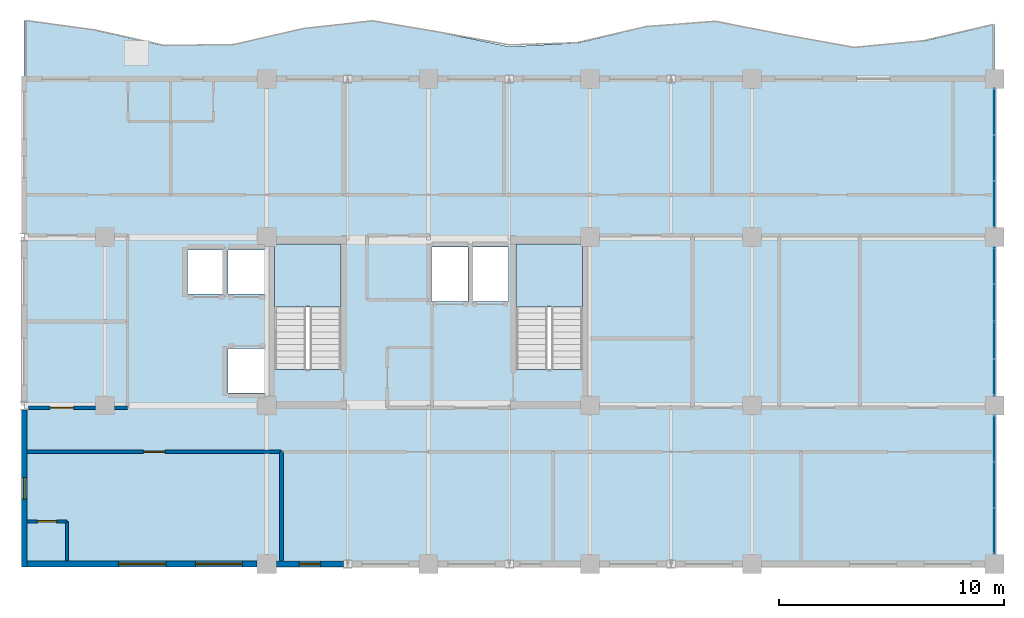
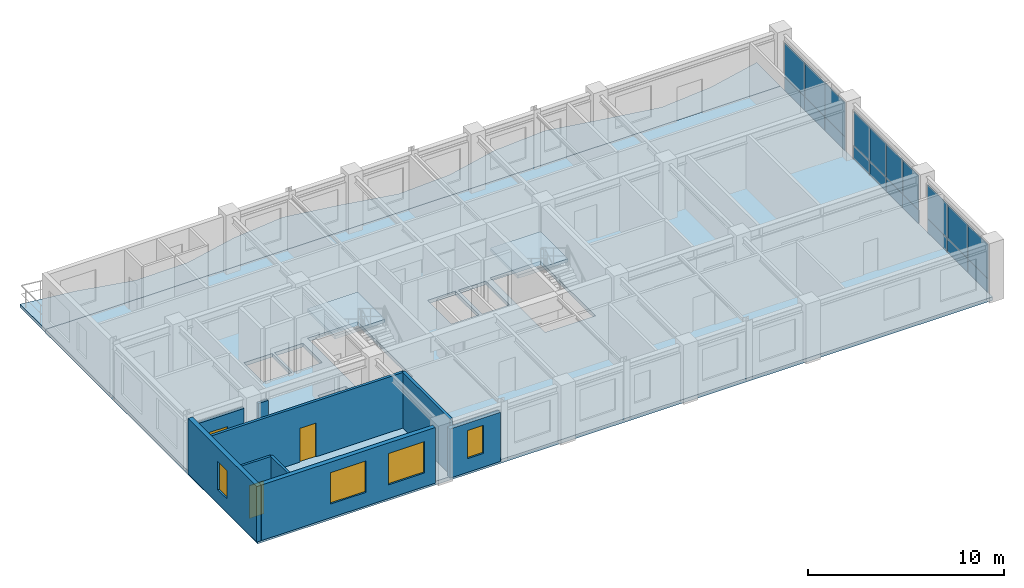
# One storey, part 5 of 11: 20 plates, 9 walls, 4 slabs, 4 windows, 3 doors, 7 openings, 5 elements without a shape of their own.
"""IFC4 building model written with IfcOpenShell, lengths in metres."""

from ifc_helpers import new_model, si_unit, direction, frame, frame_2d, origin, origin_2d, place, context, subcontext, project, spatial, polyline, rectangle, outline, extrude, source, transform, mapped, material, layer, layer_set, type_object, element, fill, aggregate, save


model = new_model("IFC4")

# Units and contexts
model_context = context("Model", 3, precision=1e-05, world=origin(), true_north=direction((0.0, 1.0)))
body_context = subcontext(model_context, "Body", "Model", "MODEL_VIEW")
ifc_project = project(units=[si_unit("LENGTHUNIT", "METRE"), si_unit("AREAUNIT", "SQUARE_METRE"), si_unit("VOLUMEUNIT", "CUBIC_METRE"), si_unit("PLANEANGLEUNIT", "RADIAN"), si_unit("MASSUNIT", "GRAM", prefix="KILO")], contexts=[model_context])

# Site, building, storey
site_placement = place(None, origin())
site = spatial("IfcSite", under=ifc_project, at=site_placement, CompositionType="ELEMENT")
building_placement = place(site_placement, origin())
building = spatial("IfcBuilding", under=site, at=building_placement, Name="Kaliganga Portal Commons", CompositionType="ELEMENT")
storey_placement = place(building_placement, frame((0.0, 0.0, 268.39990234375)))
storey = spatial("IfcBuildingStorey", under=building, at=storey_placement, Name="L69", CompositionType="ELEMENT", Elevation=268.39990234375)

# Slab
ifc_material_1 = material(Name="Concrete C40/50", Category="concrete")
ifc_layer_1 = layer(ifc_material_1, 0.2099609375)
ifc_layer_set_1 = layer_set([ifc_layer_1], Name="Concrete C40/50")
slab_type_1 = type_object("IfcSlabType", Name="SLB-BALC-210", PredefinedType="FLOOR", material=ifc_layer_set_1)
slab_1_placement = place(storey_placement, frame((0.0, 0.0, -0.2099609375)))
element("IfcSlab", 1, at=slab_1_placement, inside=storey, type_object=slab_type_1, Name="Scalloped Tree-Planter Balcony Slab L69 balc_north", PredefinedType="FLOOR", context=body_context, shape_type="SweptSolid", body=[
    extrude(outline(polyline([(46.800048828125, 43.199951171875), (46.800048828125, 45.62158203125), (43.71435546875, 44.895263671875), (40.628662109375, 44.597900390625), (37.54296875, 45.160888671875), (34.45703125, 45.767578125), (31.371337890625, 45.537841796875), (28.28564453125, 44.804931640625), (25.199951171875, 44.632080078125), (22.1142578125, 45.27001953125), (19.028564453125, 45.793212890625), (15.94287109375, 45.44287109375), (12.857177734375, 44.72705078125), (9.771484375, 44.684326171875), (6.685791015625, 45.376708984375), (3.60009765625, 45.7998046875), (3.60009765625, 43.199951171875), (46.800048828125, 43.199951171875)])), origin(), (0.0, 0.0, 1.0), 0.2099609375),
])

# Stair, slab
stair_type = type_object("IfcStairType", Name="ST-CORE-DOGLEG", PredefinedType="HALF_TURN_STAIR", material=ifc_material_1)
stair_1_placement = place(storey_placement, origin())
stair_1 = element("IfcStair", 2, at=stair_1_placement, inside=storey, type_object=stair_type, Name="L69 Protected Exit Stair ST-A1", PredefinedType="HALF_TURN_STAIR")
ifc_layer_2 = layer(ifc_material_1, 0.199951171875)
ifc_layer_set_2 = layer_set([ifc_layer_2], Name="Concrete C40/50")
slab_type_2 = type_object("IfcSlabType", Name="SLB-STAIR-LND", PredefinedType="LANDING", material=ifc_layer_set_2)
slab_2_placement = place(storey_placement, frame((0.0, 0.0, 1.650146484375)))
slab_2 = element("IfcSlab", 3, at=slab_2_placement, type_object=slab_type_2, Name="ST-A1 landing 1", PredefinedType="LANDING", context=body_context, shape_type="SweptSolid", body=[
    extrude(outline(polyline([(17.699951171875, 33.050048828125), (17.699951171875, 35.85009765625), (14.75, 35.85009765625), (14.75, 33.050048828125), (17.699951171875, 33.050048828125)])), origin(), (0.0, 0.0, 1.0), 0.199951171875),
])
aggregate(stair_1, [slab_2])

stair_2_placement = place(storey_placement, origin())
stair_2 = element("IfcStair", 4, at=stair_2_placement, inside=storey, type_object=stair_type, Name="L69 Protected Exit Stair ST-A2", PredefinedType="HALF_TURN_STAIR")
slab_3_placement = place(storey_placement, frame((0.0, 0.0, 1.650146484375)))
slab_3 = element("IfcSlab", 5, at=slab_3_placement, type_object=slab_type_2, Name="ST-A2 landing 1", PredefinedType="LANDING", context=body_context, shape_type="SweptSolid", body=[
    extrude(outline(polyline([(28.449951171875, 33.050048828125), (28.449951171875, 35.85009765625), (25.5, 35.85009765625), (25.5, 33.050048828125), (28.449951171875, 33.050048828125)])), origin(), (0.0, 0.0, 1.0), 0.199951171875),
])
aggregate(stair_2, [slab_3])

# Slab
ifc_layer_3 = layer(ifc_material_1, 0.22509765625)
ifc_layer_set_3 = layer_set([ifc_layer_3], Name="Concrete C40/50")
slab_type_3 = type_object("IfcSlabType", Name="SLB-TWR-220", PredefinedType="FLOOR", material=ifc_layer_set_3)
slab_4_placement = place(storey_placement, frame((0.0, 0.0, -0.224853515625)))
element("IfcSlab", 6, at=slab_4_placement, inside=storey, type_object=slab_type_3, Name="Structural Floor Slab L69", PredefinedType="FLOOR", context=body_context, shape_type="SweptSolid", body=[
    extrude(outline(polyline([(3.60009765625, 21.60009765625), (46.800048828125, 21.60009765625), (46.800048828125, 43.199951171875), (3.60009765625, 43.199951171875), (3.60009765625, 21.60009765625)]), holes=[polyline([(14.75, 30.25390625), (14.75, 35.85009765625), (17.699951171875, 35.85009765625), (17.699951171875, 30.25390625), (14.75, 30.25390625)]), polyline([(25.5, 30.25390625), (25.5, 35.85009765625), (28.449951171875, 35.85009765625), (28.449951171875, 30.25390625), (25.5, 30.25390625)]), polyline([(12.6650390625, 33.614990234375), (12.6650390625, 35.5849609375), (14.3349609375, 35.5849609375), (14.3349609375, 33.614990234375), (12.6650390625, 33.614990234375)]), polyline([(12.6650390625, 29.215087890625), (12.6650390625, 31.18505859375), (14.3349609375, 31.18505859375), (14.3349609375, 29.215087890625), (12.6650390625, 29.215087890625)]), polyline([(10.864990234375, 33.614990234375), (10.864990234375, 35.5849609375), (12.534912109375, 35.5849609375), (12.534912109375, 33.614990234375), (10.864990234375, 33.614990234375)]), polyline([(21.739990234375, 33.2900390625), (21.739990234375, 35.7099609375), (23.360107421875, 35.7099609375), (23.360107421875, 33.2900390625), (21.739990234375, 33.2900390625)]), polyline([(23.5400390625, 33.2900390625), (23.5400390625, 35.7099609375), (25.159912109375, 35.7099609375), (25.159912109375, 33.2900390625), (23.5400390625, 33.2900390625)])]), origin(), (0.0, 0.0, 1.0), 0.224853515625),
])

# Curtain wall, plates
ifc_material_2 = material(Name="Anodized Aluminium and Laminated Low-E Glass", Category="aluminium")
ifc_layer_4 = layer(ifc_material_2, 0.18994140625)
ifc_layer_set_4 = layer_set([ifc_layer_4], Name="Anodized Aluminium and Laminated Low-E Glass")
curtain_wall_type = type_object("IfcCurtainWallType", Name="CW-SYS-05", PredefinedType="NOTDEFINED", material=ifc_layer_set_4)
curtain_wall_1_placement = place(storey_placement, origin())
curtain_wall_1 = element("IfcCurtainWall", 7, at=curtain_wall_1_placement, inside=storey, type_object=curtain_wall_type, Name="CW 05 L69 P1E01S1", PredefinedType="NOTDEFINED")
ifc_material_3 = material(Name="Insulated Dark Spandrel Panel", Category="metal")
ifc_layer_5 = layer(ifc_material_3, 0.044921875)
ifc_layer_set_5 = layer_set([ifc_layer_5], Name="Insulated Dark Spandrel Panel")
plate_type_1 = type_object("IfcPlateType", Name="PLT-SPN-45", PredefinedType="SHEET", material=ifc_layer_set_5)
shared_shape_1 = source(origin(), body_context, "Body", "SweptSolid", [
    extrude(rectangle(XDim=2.02587890625, YDim=0.044921875, at=origin_2d()), origin(), (0.0, 0.0, 1.0), 0.841064453125),
])
plate_1_placement = place(storey_placement, frame((46.800048828125, 23.05908203125, 0.01025390625), z_axis=(0.0, 0.0, 1.0), x_axis=(0.0, 1.0, 0.0)))
plate_1 = element("IfcPlate", 8, at=plate_1_placement, type_object=plate_type_1, Name="CW:05:L69:P1E01S1 Spandrel 00", PredefinedType="SHEET", context=body_context, shape_type="MappedRepresentation", body=[
    mapped(shared_shape_1, transform((0.0, 0.0, 0.0), x_axis=(1.0, 0.0, 0.0), y_axis=(0.0, 1.0, 0.0), z_axis=(0.0, 0.0, 1.0), scale=1.0)),
])
plate_2_placement = place(storey_placement, frame((46.800048828125, 25.125, 0.01025390625), z_axis=(0.0, 0.0, 1.0), x_axis=(0.0, 1.0, 0.0)))
plate_2 = element("IfcPlate", 9, at=plate_2_placement, type_object=plate_type_1, Name="CW:05:L69:P1E01S1 Spandrel 01", PredefinedType="SHEET", context=body_context, shape_type="MappedRepresentation", body=[
    mapped(shared_shape_1, transform((0.0, 0.0, 0.0), x_axis=(1.0, 0.0, 0.0), y_axis=(0.0, 1.0, 0.0), z_axis=(0.0, 0.0, 1.0), scale=1.0)),
])
plate_3_placement = place(storey_placement, frame((46.800048828125, 27.19091796875, 0.01025390625), z_axis=(0.0, 0.0, 1.0), x_axis=(0.0, 1.0, 0.0)))
plate_3 = element("IfcPlate", 10, at=plate_3_placement, type_object=plate_type_1, Name="CW:05:L69:P1E01S1 Spandrel 02", PredefinedType="SHEET", context=body_context, shape_type="MappedRepresentation", body=[
    mapped(shared_shape_1, transform((0.0, 0.0, 0.0), x_axis=(1.0, 0.0, 0.0), y_axis=(0.0, 1.0, 0.0), z_axis=(0.0, 0.0, 1.0), scale=1.0)),
])

curtain_wall_2_placement = place(storey_placement, origin())
curtain_wall_2 = element("IfcCurtainWall", 11, at=curtain_wall_2_placement, inside=storey, type_object=curtain_wall_type, Name="CW 05 L69 P1E01S3", PredefinedType="NOTDEFINED")
plate_4_placement = place(storey_placement, frame((46.800048828125, 37.60888671875, 0.01025390625), z_axis=(0.0, 0.0, 1.0), x_axis=(0.0, 1.0, 0.0)))
plate_4 = element("IfcPlate", 12, at=plate_4_placement, type_object=plate_type_1, Name="CW:05:L69:P1E01S3 Spandrel 00", PredefinedType="SHEET", context=body_context, shape_type="MappedRepresentation", body=[
    mapped(shared_shape_1, transform((0.0, 0.0, 0.0), x_axis=(1.0, 0.0, 0.0), y_axis=(0.0, 1.0, 0.0), z_axis=(0.0, 0.0, 1.0), scale=1.0)),
])
plate_5_placement = place(storey_placement, frame((46.800048828125, 39.675048828125, 0.01025390625), z_axis=(0.0, 0.0, 1.0), x_axis=(0.0, 1.0, 0.0)))
plate_5 = element("IfcPlate", 13, at=plate_5_placement, type_object=plate_type_1, Name="CW:05:L69:P1E01S3 Spandrel 01", PredefinedType="SHEET", context=body_context, shape_type="MappedRepresentation", body=[
    mapped(shared_shape_1, transform((0.0, 0.0, 0.0), x_axis=(1.0, 0.0, 0.0), y_axis=(0.0, 1.0, 0.0), z_axis=(0.0, 0.0, 1.0), scale=1.0)),
])
plate_6_placement = place(storey_placement, frame((46.800048828125, 41.740966796875, 0.01025390625), z_axis=(0.0, 0.0, 1.0), x_axis=(0.0, 1.0, 0.0)))
plate_6 = element("IfcPlate", 14, at=plate_6_placement, type_object=plate_type_1, Name="CW:05:L69:P1E01S3 Spandrel 02", PredefinedType="SHEET", context=body_context, shape_type="MappedRepresentation", body=[
    mapped(shared_shape_1, transform((0.0, 0.0, 0.0), x_axis=(1.0, 0.0, 0.0), y_axis=(0.0, 1.0, 0.0), z_axis=(0.0, 0.0, 1.0), scale=1.0)),
])

# Plate
ifc_material_4 = material(Name="Dark Solar-Control Laminated Low-E IGU", Category="glass")
ifc_layer_6 = layer(ifc_material_4, 0.028076171875)
ifc_layer_set_6 = layer_set([ifc_layer_6], Name="Dark Solar-Control Laminated Low-E IGU")
plate_type_2 = type_object("IfcPlateType", Name="PLT-GLZ-28", PredefinedType="CURTAIN_PANEL", material=ifc_layer_set_6)
shared_shape_2 = source(origin(), body_context, "Body", "SweptSolid", [
    extrude(rectangle(XDim=2.02587890625, YDim=0.028076171875, at=origin_2d()), origin(), (0.0, 0.0, 1.0), 2.114013671875),
])
plate_7_placement = place(storey_placement, frame((46.800048828125, 23.05908203125, 0.87109375), z_axis=(0.0, 0.0, 1.0), x_axis=(0.0, 1.0, 0.0)))
plate_7 = element("IfcPlate", 15, at=plate_7_placement, type_object=plate_type_2, Name="CW:05:L69:P1E01S1 Vision IGU 00", PredefinedType="CURTAIN_PANEL", context=body_context, shape_type="MappedRepresentation", body=[
    mapped(shared_shape_2, transform((0.0, 0.0, 0.0), x_axis=(1.0, 0.0, 0.0), y_axis=(0.0, 1.0, 0.0), z_axis=(0.0, 0.0, 1.0), scale=1.0)),
])

plate_8_placement = place(storey_placement, frame((46.800048828125, 25.125, 0.87109375), z_axis=(0.0, 0.0, 1.0), x_axis=(0.0, 1.0, 0.0)))
plate_8 = element("IfcPlate", 16, at=plate_8_placement, type_object=plate_type_2, Name="CW:05:L69:P1E01S1 Vision IGU 01", PredefinedType="CURTAIN_PANEL", context=body_context, shape_type="MappedRepresentation", body=[
    mapped(shared_shape_2, transform((0.0, 0.0, 0.0), x_axis=(1.0, 0.0, 0.0), y_axis=(0.0, 1.0, 0.0), z_axis=(0.0, 0.0, 1.0), scale=1.0)),
])

plate_9_placement = place(storey_placement, frame((46.800048828125, 27.19091796875, 0.87109375), z_axis=(0.0, 0.0, 1.0), x_axis=(0.0, 1.0, 0.0)))
plate_9 = element("IfcPlate", 17, at=plate_9_placement, type_object=plate_type_2, Name="CW:05:L69:P1E01S1 Vision IGU 02", PredefinedType="CURTAIN_PANEL", context=body_context, shape_type="MappedRepresentation", body=[
    mapped(shared_shape_2, transform((0.0, 0.0, 0.0), x_axis=(1.0, 0.0, 0.0), y_axis=(0.0, 1.0, 0.0), z_axis=(0.0, 0.0, 1.0), scale=1.0)),
])

aggregate(curtain_wall_1, [plate_1, plate_7, plate_2, plate_8, plate_3, plate_9])

plate_10_placement = place(storey_placement, frame((46.800048828125, 37.60888671875, 0.87109375), z_axis=(0.0, 0.0, 1.0), x_axis=(0.0, 1.0, 0.0)))
plate_10 = element("IfcPlate", 18, at=plate_10_placement, type_object=plate_type_2, Name="CW:05:L69:P1E01S3 Vision IGU 00", PredefinedType="CURTAIN_PANEL", context=body_context, shape_type="MappedRepresentation", body=[
    mapped(shared_shape_2, transform((0.0, 0.0, 0.0), x_axis=(1.0, 0.0, 0.0), y_axis=(0.0, 1.0, 0.0), z_axis=(0.0, 0.0, 1.0), scale=1.0)),
])

plate_11_placement = place(storey_placement, frame((46.800048828125, 39.675048828125, 0.87109375), z_axis=(0.0, 0.0, 1.0), x_axis=(0.0, 1.0, 0.0)))
plate_11 = element("IfcPlate", 19, at=plate_11_placement, type_object=plate_type_2, Name="CW:05:L69:P1E01S3 Vision IGU 01", PredefinedType="CURTAIN_PANEL", context=body_context, shape_type="MappedRepresentation", body=[
    mapped(shared_shape_2, transform((0.0, 0.0, 0.0), x_axis=(1.0, 0.0, 0.0), y_axis=(0.0, 1.0, 0.0), z_axis=(0.0, 0.0, 1.0), scale=1.0)),
])

plate_12_placement = place(storey_placement, frame((46.800048828125, 41.740966796875, 0.87109375), z_axis=(0.0, 0.0, 1.0), x_axis=(0.0, 1.0, 0.0)))
plate_12 = element("IfcPlate", 20, at=plate_12_placement, type_object=plate_type_2, Name="CW:05:L69:P1E01S3 Vision IGU 02", PredefinedType="CURTAIN_PANEL", context=body_context, shape_type="MappedRepresentation", body=[
    mapped(shared_shape_2, transform((0.0, 0.0, 0.0), x_axis=(1.0, 0.0, 0.0), y_axis=(0.0, 1.0, 0.0), z_axis=(0.0, 0.0, 1.0), scale=1.0)),
])

aggregate(curtain_wall_2, [plate_4, plate_10, plate_5, plate_11, plate_6, plate_12])

# Curtain wall, plates
curtain_wall_3_placement = place(storey_placement, origin())
curtain_wall_3 = element("IfcCurtainWall", 21, at=curtain_wall_3_placement, inside=storey, type_object=curtain_wall_type, Name="CW 05 L69 P1E01S2", PredefinedType="NOTDEFINED")
shared_shape_3 = source(origin(), body_context, "Body", "SweptSolid", [
    extrude(rectangle(XDim=1.6220703125, YDim=0.044921875, at=origin_2d()), origin(), (0.0, 0.0, 1.0), 0.841064453125),
])
plate_13_placement = place(storey_placement, frame((46.800048828125, 29.906982421875, 0.01025390625), z_axis=(0.0, 0.0, 1.0), x_axis=(0.0, 1.0, 0.0)))
plate_13 = element("IfcPlate", 22, at=plate_13_placement, type_object=plate_type_1, Name="CW:05:L69:P1E01S2 Spandrel 00", PredefinedType="SHEET", context=body_context, shape_type="MappedRepresentation", body=[
    mapped(shared_shape_3, transform((0.0, 0.0, 0.0), x_axis=(1.0, 0.0, 0.0), y_axis=(0.0, 1.0, 0.0), z_axis=(0.0, 0.0, 1.0), scale=1.0)),
])
plate_14_placement = place(storey_placement, frame((46.800048828125, 31.569091796875, 0.01025390625), z_axis=(0.0, 0.0, 1.0), x_axis=(0.0, 1.0, 0.0)))
plate_14 = element("IfcPlate", 23, at=plate_14_placement, type_object=plate_type_1, Name="CW:05:L69:P1E01S2 Spandrel 01", PredefinedType="SHEET", context=body_context, shape_type="MappedRepresentation", body=[
    mapped(shared_shape_3, transform((0.0, 0.0, 0.0), x_axis=(1.0, 0.0, 0.0), y_axis=(0.0, 1.0, 0.0), z_axis=(0.0, 0.0, 1.0), scale=1.0)),
])
plate_15_placement = place(storey_placement, frame((46.800048828125, 33.23095703125, 0.01025390625), z_axis=(0.0, 0.0, 1.0), x_axis=(0.0, 1.0, 0.0)))
plate_15 = element("IfcPlate", 24, at=plate_15_placement, type_object=plate_type_1, Name="CW:05:L69:P1E01S2 Spandrel 02", PredefinedType="SHEET", context=body_context, shape_type="MappedRepresentation", body=[
    mapped(shared_shape_3, transform((0.0, 0.0, 0.0), x_axis=(1.0, 0.0, 0.0), y_axis=(0.0, 1.0, 0.0), z_axis=(0.0, 0.0, 1.0), scale=1.0)),
])
plate_16_placement = place(storey_placement, frame((46.800048828125, 34.89306640625, 0.01025390625), z_axis=(0.0, 0.0, 1.0), x_axis=(0.0, 1.0, 0.0)))
plate_16 = element("IfcPlate", 25, at=plate_16_placement, type_object=plate_type_1, Name="CW:05:L69:P1E01S2 Spandrel 03", PredefinedType="SHEET", context=body_context, shape_type="MappedRepresentation", body=[
    mapped(shared_shape_3, transform((0.0, 0.0, 0.0), x_axis=(1.0, 0.0, 0.0), y_axis=(0.0, 1.0, 0.0), z_axis=(0.0, 0.0, 1.0), scale=1.0)),
])
shared_shape_4 = source(origin(), body_context, "Body", "SweptSolid", [
    extrude(rectangle(XDim=1.6220703125, YDim=0.028076171875, at=origin_2d()), origin(), (0.0, 0.0, 1.0), 2.114013671875),
])
plate_17_placement = place(storey_placement, frame((46.800048828125, 29.906982421875, 0.87109375), z_axis=(0.0, 0.0, 1.0), x_axis=(0.0, 1.0, 0.0)))
plate_17 = element("IfcPlate", 26, at=plate_17_placement, type_object=plate_type_2, Name="CW:05:L69:P1E01S2 Vision IGU 00", PredefinedType="CURTAIN_PANEL", context=body_context, shape_type="MappedRepresentation", body=[
    mapped(shared_shape_4, transform((0.0, 0.0, 0.0), x_axis=(1.0, 0.0, 0.0), y_axis=(0.0, 1.0, 0.0), z_axis=(0.0, 0.0, 1.0), scale=1.0)),
])
plate_18_placement = place(storey_placement, frame((46.800048828125, 31.569091796875, 0.87109375), z_axis=(0.0, 0.0, 1.0), x_axis=(0.0, 1.0, 0.0)))
plate_18 = element("IfcPlate", 27, at=plate_18_placement, type_object=plate_type_2, Name="CW:05:L69:P1E01S2 Vision IGU 01", PredefinedType="CURTAIN_PANEL", context=body_context, shape_type="MappedRepresentation", body=[
    mapped(shared_shape_4, transform((0.0, 0.0, 0.0), x_axis=(1.0, 0.0, 0.0), y_axis=(0.0, 1.0, 0.0), z_axis=(0.0, 0.0, 1.0), scale=1.0)),
])
plate_19_placement = place(storey_placement, frame((46.800048828125, 33.23095703125, 0.87109375), z_axis=(0.0, 0.0, 1.0), x_axis=(0.0, 1.0, 0.0)))
plate_19 = element("IfcPlate", 28, at=plate_19_placement, type_object=plate_type_2, Name="CW:05:L69:P1E01S2 Vision IGU 02", PredefinedType="CURTAIN_PANEL", context=body_context, shape_type="MappedRepresentation", body=[
    mapped(shared_shape_4, transform((0.0, 0.0, 0.0), x_axis=(1.0, 0.0, 0.0), y_axis=(0.0, 1.0, 0.0), z_axis=(0.0, 0.0, 1.0), scale=1.0)),
])
plate_20_placement = place(storey_placement, frame((46.800048828125, 34.89306640625, 0.87109375), z_axis=(0.0, 0.0, 1.0), x_axis=(0.0, 1.0, 0.0)))
plate_20 = element("IfcPlate", 29, at=plate_20_placement, type_object=plate_type_2, Name="CW:05:L69:P1E01S2 Vision IGU 03", PredefinedType="CURTAIN_PANEL", context=body_context, shape_type="MappedRepresentation", body=[
    mapped(shared_shape_4, transform((0.0, 0.0, 0.0), x_axis=(1.0, 0.0, 0.0), y_axis=(0.0, 1.0, 0.0), z_axis=(0.0, 0.0, 1.0), scale=1.0)),
])
aggregate(curtain_wall_3, [plate_13, plate_17, plate_14, plate_18, plate_15, plate_19, plate_16, plate_20])

# Wall, openings, windows
ifc_material_5 = material(Name="Insulated Aluminium-Clad Spandrel Assembly", Category="aluminium")
ifc_layer_7 = layer(ifc_material_5, 0.260009765625)
ifc_layer_set_7 = layer_set([ifc_layer_7], Name="Insulated Aluminium-Clad Spandrel Assembly")
wall_type_1 = type_object("IfcWallType", Name="WL-EXT-SPAND-260", PredefinedType="STANDARD", material=ifc_layer_set_7)
wall_1_placement = place(storey_placement, frame((13.97412109375, 21.60009765625, 0.0), z_axis=(0.0, 0.0, 1.0), x_axis=(-1.0, 0.0, 0.0)))
wall_1 = element("IfcWall", 30, at=wall_1_placement, inside=storey, type_object=wall_type_1, Name="Exterior Envelope Wall L69 P1-E00-S1", PredefinedType="STANDARD", context=body_context, shape_type="SweptSolid", body=[
    extrude(rectangle(XDim=10.239013671875, YDim=0.260009765625, at=frame_2d((5.11962890625, 0.0))), origin(), (0.0, 0.0, 1.0), 3.455078125),
])
opening_1_placement = place(wall_1_placement, frame((0.656494140625, 0.0, 0.85009765625)))
opening_1 = element("IfcOpeningElement", 31, at=opening_1_placement, cuts=wall_1, Name="Opening W-06", PredefinedType="OPENING", context=body_context, shape_type="SweptSolid", body=[
    extrude(rectangle(XDim=2.10009765625, YDim=1.949951171875, at=frame_2d((1.050048828125, 0.97509765625))), frame((0.0, 0.14013671875, 0.0), z_axis=(0.0, -1.0, 0.0), x_axis=(1.0, 0.0, 0.0)), (0.0, 0.0, 1.0), 0.280029296875),
])
opening_2_placement = place(wall_1_placement, frame((4.069580078125, 0.0, 0.85009765625)))
opening_2 = element("IfcOpeningElement", 32, at=opening_2_placement, cuts=wall_1, Name="Opening W-06", PredefinedType="OPENING", context=body_context, shape_type="SweptSolid", body=[
    extrude(rectangle(XDim=2.10009765625, YDim=1.949951171875, at=frame_2d((1.050048828125, 0.97509765625))), frame((0.0, 0.14013671875, 0.0), z_axis=(0.0, -1.0, 0.0), x_axis=(1.0, 0.0, 0.0)), (0.0, 0.0, 1.0), 0.280029296875),
])
ifc_material_6 = material(Name="Thermally Broken Aluminium and Low-E Double Glazing", Category="aluminium")
window_type_1 = type_object("IfcWindowType", Name="WIN-PAN-2100", PartitioningType="DOUBLE_PANEL_VERTICAL", PredefinedType="WINDOW", material=ifc_material_6)
window_1_placement = place(opening_1_placement, origin())
window_1 = element("IfcWindow", 33, at=window_1_placement, inside=storey, type_object=window_type_1, Name="Facade Window L69-P1E00S1-00", OverallHeight=1.949951171875, OverallWidth=2.10009765625, PartitioningType="SINGLE_PANEL", PredefinedType="WINDOW", context=body_context, shape_type="SweptSolid", body=[
    extrude(rectangle(XDim=2.10009765625, YDim=1.949951171875, at=frame_2d((1.050048828125, 0.97509765625))), frame((0.0, 0.030029296875, 0.0), z_axis=(0.0, -1.0, 0.0), x_axis=(1.0, 0.0, 0.0)), (0.0, 0.0, 1.0), 0.06005859375),
])
fill(opening_1, window_1)
window_2_placement = place(opening_2_placement, origin())
window_2 = element("IfcWindow", 34, at=window_2_placement, inside=storey, type_object=window_type_1, Name="Facade Window L69-P1E00S1-01", OverallHeight=1.949951171875, OverallWidth=2.10009765625, PartitioningType="SINGLE_PANEL", PredefinedType="WINDOW", context=body_context, shape_type="SweptSolid", body=[
    extrude(rectangle(XDim=2.10009765625, YDim=1.949951171875, at=frame_2d((1.050048828125, 0.97509765625))), frame((0.0, 0.030029296875, 0.0), z_axis=(0.0, -1.0, 0.0), x_axis=(1.0, 0.0, 0.0)), (0.0, 0.0, 1.0), 0.06005859375),
])
fill(opening_2, window_2)

# Wall, opening, window
wall_2_placement = place(storey_placement, frame((17.81201171875, 21.60009765625, 0.0), z_axis=(0.0, 0.0, 1.0), x_axis=(-1.0, 0.0, 0.0)))
wall_2 = element("IfcWall", 35, at=wall_2_placement, inside=storey, type_object=wall_type_1, Name="Exterior Envelope Wall L69 P1-E00-S2", PredefinedType="STANDARD", context=body_context, shape_type="SweptSolid", body=[
    extrude(rectangle(XDim=2.986083984375, YDim=0.260009765625, at=frame_2d((1.4931640625, 0.0))), origin(), (0.0, 0.0, 1.0), 3.05517578125),
])
opening_3_placement = place(wall_2_placement, frame((1.01806640625, 0.0, 0.85009765625)))
opening_3 = element("IfcOpeningElement", 36, at=opening_3_placement, cuts=wall_2, Name="Opening W-04", PredefinedType="OPENING", context=body_context, shape_type="SweptSolid", body=[
    extrude(rectangle(XDim=0.949951171875, YDim=1.75, at=frame_2d((0.47509765625, 0.875))), frame((0.0, 0.14013671875, 0.0), z_axis=(0.0, -1.0, 0.0), x_axis=(1.0, 0.0, 0.0)), (0.0, 0.0, 1.0), 0.280029296875),
])
window_type_2 = type_object("IfcWindowType", Name="WIN-NARROW-950", PartitioningType="SINGLE_PANEL", PredefinedType="WINDOW", material=ifc_material_6)
window_3_placement = place(opening_3_placement, origin())
window_3 = element("IfcWindow", 37, at=window_3_placement, inside=storey, type_object=window_type_2, Name="Facade Window L69-P1E00S2-N0", OverallHeight=1.75, OverallWidth=0.949951171875, PartitioningType="SINGLE_PANEL", PredefinedType="WINDOW", context=body_context, shape_type="SweptSolid", body=[
    extrude(rectangle(XDim=0.949951171875, YDim=1.75, at=frame_2d((0.47509765625, 0.875))), frame((0.0, 0.030029296875, 0.0), z_axis=(0.0, -1.0, 0.0), x_axis=(1.0, 0.0, 0.0)), (0.0, 0.0, 1.0), 0.06005859375),
])
fill(opening_3, window_3)

wall_3_placement = place(storey_placement, frame((3.60009765625, 21.469970703125, 0.0), z_axis=(0.0, 0.0, 1.0), x_axis=(0.0, 1.0, 0.0)))
wall_3 = element("IfcWall", 38, at=wall_3_placement, inside=storey, type_object=wall_type_1, Name="Exterior Envelope Wall L69 P1-E03-S3", PredefinedType="STANDARD", context=body_context, shape_type="SweptSolid", body=[
    extrude(rectangle(XDim=6.992919921875, YDim=0.260009765625, at=frame_2d((3.49658203125, 0.0))), origin(), (0.0, 0.0, 1.0), 3.455078125),
])
opening_4_placement = place(wall_3_placement, frame((3.021484375, 0.0, 0.85009765625)))
opening_4 = element("IfcOpeningElement", 39, at=opening_4_placement, cuts=wall_3, Name="Opening W-04", PredefinedType="OPENING", context=body_context, shape_type="SweptSolid", body=[
    extrude(rectangle(XDim=0.949951171875, YDim=1.75, at=frame_2d((0.47509765625, 0.875))), frame((0.0, 0.14013671875, 0.0), z_axis=(0.0, -1.0, 0.0), x_axis=(1.0, 0.0, 0.0)), (0.0, 0.0, 1.0), 0.280029296875),
])
window_4_placement = place(opening_4_placement, origin())
window_4 = element("IfcWindow", 40, at=window_4_placement, inside=storey, type_object=window_type_2, Name="Facade Window L69-P1E03S3-N0", OverallHeight=1.75, OverallWidth=0.949951171875, PartitioningType="SINGLE_PANEL", PredefinedType="WINDOW", context=body_context, shape_type="SweptSolid", body=[
    extrude(rectangle(XDim=0.949951171875, YDim=1.75, at=frame_2d((0.47509765625, 0.875))), frame((0.0, 0.030029296875, 0.0), z_axis=(0.0, -1.0, 0.0), x_axis=(1.0, 0.0, 0.0)), (0.0, 0.0, 1.0), 0.06005859375),
])
fill(opening_4, window_4)

# Wall, opening, door
ifc_material_7 = material(Name="Fire-Rated Gypsum Board on Steel Stud", Category="steel")
ifc_layer_8 = layer(ifc_material_7, 0.14990234375)
ifc_layer_set_8 = layer_set([ifc_layer_8], Name="Fire-Rated Gypsum Board on Steel Stud")
wall_type_2 = type_object("IfcWallType", Name="WL-PART-CORR-150", PredefinedType="PARTITIONING", material=ifc_layer_set_8)
wall_4_placement = place(storey_placement, frame((3.73193359375, 26.60009765625, 0.0), z_axis=(0.0, 0.0, 1.0), x_axis=(1.0, 0.0, 0.0)))
wall_4 = element("IfcWall", 41, at=wall_4_placement, inside=storey, type_object=wall_type_2, Name="Interior Partition L69-009", PredefinedType="PARTITIONING", context=body_context, shape_type="SweptSolid", body=[
    extrude(rectangle(XDim=11.328125, YDim=0.14990234375, at=frame_2d((5.6640625, 0.0))), origin(), (0.0, 0.0, 1.0), 3.455078125),
])
opening_5_placement = place(wall_4_placement, frame((5.18896484375, 0.0, 0.0)))
opening_5 = element("IfcOpeningElement", 42, at=opening_5_placement, cuts=wall_4, Name="Opening UD-01", PredefinedType="OPENING", context=body_context, shape_type="SweptSolid", body=[
    extrude(rectangle(XDim=0.949951171875, YDim=2.10009765625, at=frame_2d((0.47509765625, 1.050048828125))), frame((0.0, 0.0849609375, 0.0), z_axis=(0.0, -1.0, 0.0), x_axis=(1.0, 0.0, 0.0)), (0.0, 0.0, 1.0), 0.169921875),
])
ifc_material_8 = material(Name="Solid-Core Timber Acoustic Fire Door", Category="wood")
door_type_1 = type_object("IfcDoorType", Name="DR-UNIT-950", OperationType="NOTDEFINED", PredefinedType="DOOR", material=ifc_material_8)
door_1_placement = place(opening_5_placement, origin())
door_1 = element("IfcDoor", 43, at=door_1_placement, inside=storey, type_object=door_type_1, Name="Interior Door L69-AS01", OperationType="SINGLE_SWING_RIGHT", OverallHeight=2.10009765625, OverallWidth=0.949951171875, PredefinedType="DOOR", context=body_context, shape_type="SweptSolid", body=[
    extrude(rectangle(XDim=0.949951171875, YDim=2.10009765625, at=frame_2d((0.47509765625, 1.050048828125))), frame((0.0, 0.02490234375, 0.0), z_axis=(0.0, -1.0, 0.0), x_axis=(1.0, 0.0, 0.0)), (0.0, 0.0, 1.0), 0.050048828125),
])
fill(opening_5, door_1)

wall_5_placement = place(storey_placement, frame((3.787109375, 28.56005859375, 0.0), z_axis=(0.0, 0.0, 1.0), x_axis=(1.0, 0.0, 0.0)))
wall_5 = element("IfcWall", 44, at=wall_5_placement, inside=storey, type_object=wall_type_2, Name="Interior Partition L69-019", PredefinedType="PARTITIONING", context=body_context, shape_type="SweptSolid", body=[
    extrude(rectangle(XDim=2.98779296875, YDim=0.14990234375, at=frame_2d((1.493896484375, 0.0))), origin(), (0.0, 0.0, 1.0), 2.905029296875),
])
opening_6_placement = place(wall_5_placement, frame((0.968994140625, 0.0, 0.0)))
opening_6 = element("IfcOpeningElement", 45, at=opening_6_placement, cuts=wall_5, Name="Opening UD-02", PredefinedType="OPENING", context=body_context, shape_type="SweptSolid", body=[
    extrude(rectangle(XDim=1.050048828125, YDim=2.1201171875, at=frame_2d((0.52490234375, 1.06005859375))), frame((0.0, 0.0849609375, 0.0), z_axis=(0.0, -1.0, 0.0), x_axis=(1.0, 0.0, 0.0)), (0.0, 0.0, 1.0), 0.169921875),
])
ifc_material_9 = material(Name="Accessible Wide-Leaf Acoustic Fire Door", Category="wood")
door_type_2 = type_object("IfcDoorType", Name="DR-ACC-1050", OperationType="NOTDEFINED", PredefinedType="DOOR", material=ifc_material_9)
door_2_placement = place(opening_6_placement, origin())
door_2 = element("IfcDoor", 46, at=door_2_placement, inside=storey, type_object=door_type_2, Name="Interior Door L69-AW01", OperationType="SINGLE_SWING_LEFT", OverallHeight=2.1201171875, OverallWidth=1.050048828125, PredefinedType="DOOR", context=body_context, shape_type="SweptSolid", body=[
    extrude(rectangle(XDim=1.050048828125, YDim=2.1201171875, at=frame_2d((0.52490234375, 1.06005859375))), frame((0.0, 0.02490234375, 0.0), z_axis=(0.0, -1.0, 0.0), x_axis=(1.0, 0.0, 0.0)), (0.0, 0.0, 1.0), 0.050048828125),
])
fill(opening_6, door_2)

# Walls
wall_6_placement = place(storey_placement, frame((7.625, 28.56005859375, 0.0), z_axis=(0.0, 0.0, 1.0), x_axis=(1.0, 0.0, 0.0)))
element("IfcWall", 47, at=wall_6_placement, inside=storey, type_object=wall_type_2, Name="Interior Partition L69-020", PredefinedType="PARTITIONING", context=body_context, shape_type="SweptSolid", body=[
    extrude(rectangle(XDim=0.574951171875, YDim=0.14990234375, at=frame_2d((0.28759765625, 0.0))), origin(), (0.0, 0.0, 1.0), 2.905029296875),
])
ifc_material_10 = material(Name="Twin-Stud Acoustic Gypsum Partition", Category="gypsum")
ifc_layer_9 = layer(ifc_material_10, 0.1650390625)
ifc_layer_set_9 = layer_set([ifc_layer_9], Name="Twin-Stud Acoustic Gypsum Partition")
wall_type_3 = type_object("IfcWallType", Name="WL-PART-UNIT-165", PredefinedType="PARTITIONING", material=ifc_layer_set_9)
wall_7_placement = place(storey_placement, frame((15.06005859375, 21.73193359375, 0.0), z_axis=(0.0, 0.0, 1.0), x_axis=(0.0, 1.0, 0.0)))
element("IfcWall", 48, at=wall_7_placement, inside=storey, type_object=wall_type_3, Name="Interior Partition L69-048", PredefinedType="PARTITIONING", context=body_context, shape_type="SweptSolid", body=[
    extrude(rectangle(XDim=4.8681640625, YDim=0.1650390625, at=frame_2d((2.43408203125, 0.0))), origin(), (0.0, 0.0, 1.0), 3.455078125),
])

# Wall, opening, door
ifc_material_11 = material(Name="Cement-Board Wet-Room Partition", Category="gypsum")
ifc_layer_10 = layer(ifc_material_11, 0.135009765625)
ifc_layer_set_10 = layer_set([ifc_layer_10], Name="Cement-Board Wet-Room Partition")
wall_type_4 = type_object("IfcWallType", Name="WL-PART-WET-135", PredefinedType="PARTITIONING", material=ifc_layer_set_10)
wall_8_placement = place(storey_placement, frame((3.73193359375, 23.5, 0.0), z_axis=(0.0, 0.0, 1.0), x_axis=(1.0, 0.0, 0.0)))
wall_8 = element("IfcWall", 49, at=wall_8_placement, inside=storey, type_object=wall_type_4, Name="Interior Partition L69-005", PredefinedType="PARTITIONING", context=body_context, shape_type="SweptSolid", body=[
    extrude(rectangle(XDim=1.76806640625, YDim=0.135009765625, at=frame_2d((0.884033203125, 0.0))), origin(), (0.0, 0.0, 1.0), 3.455078125),
])
opening_7_placement = place(wall_8_placement, frame((0.458984375, 0.0, 0.0)))
opening_7 = element("IfcOpeningElement", 50, at=opening_7_placement, cuts=wall_8, Name="Opening WD-01", PredefinedType="OPENING", context=body_context, shape_type="SweptSolid", body=[
    extrude(rectangle(XDim=0.85009765625, YDim=2.0400390625, at=frame_2d((0.425048828125, 1.02001953125))), frame((0.0, 0.07763671875, 0.0), z_axis=(0.0, -1.0, 0.0), x_axis=(1.0, 0.0, 0.0)), (0.0, 0.0, 1.0), 0.155029296875),
])
ifc_material_12 = material(Name="Moisture-Resistant Laminate Timber Door", Category="wood")
door_type_3 = type_object("IfcDoorType", Name="DR-WET-850", OperationType="NOTDEFINED", PredefinedType="DOOR", material=ifc_material_12)
door_3_placement = place(opening_7_placement, origin())
door_3 = element("IfcDoor", 51, at=door_3_placement, inside=storey, type_object=door_type_3, Name="Interior Door L69-AS01E", OperationType="SINGLE_SWING_RIGHT", OverallHeight=2.0400390625, OverallWidth=0.85009765625, PredefinedType="DOOR", context=body_context, shape_type="SweptSolid", body=[
    extrude(rectangle(XDim=0.85009765625, YDim=2.0400390625, at=frame_2d((0.425048828125, 1.02001953125))), frame((0.0, 0.02490234375, 0.0), z_axis=(0.0, -1.0, 0.0), x_axis=(1.0, 0.0, 0.0)), (0.0, 0.0, 1.0), 0.050048828125),
])
fill(opening_7, door_3)

# Wall
wall_9_placement = place(storey_placement, frame((5.5, 21.73193359375, 0.0), z_axis=(0.0, 0.0, 1.0), x_axis=(0.0, 1.0, 0.0)))
element("IfcWall", 52, at=wall_9_placement, inside=storey, type_object=wall_type_4, Name="Interior Partition L69-007", PredefinedType="PARTITIONING", context=body_context, shape_type="SweptSolid", body=[
    extrude(rectangle(XDim=1.76806640625, YDim=0.135009765625, at=frame_2d((0.884033203125, 0.0))), origin(), (0.0, 0.0, 1.0), 3.455078125),
])

save(model, "model.ifc")
